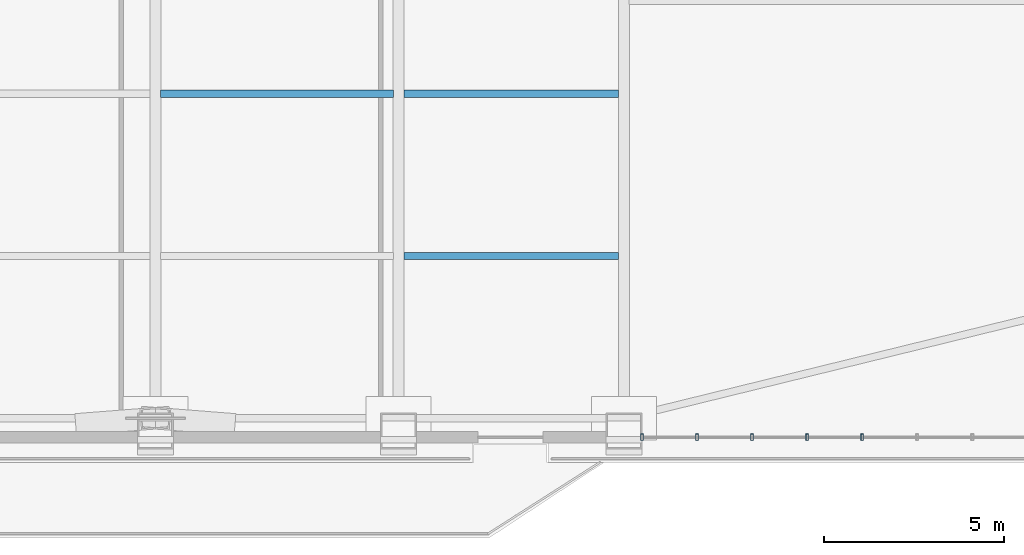
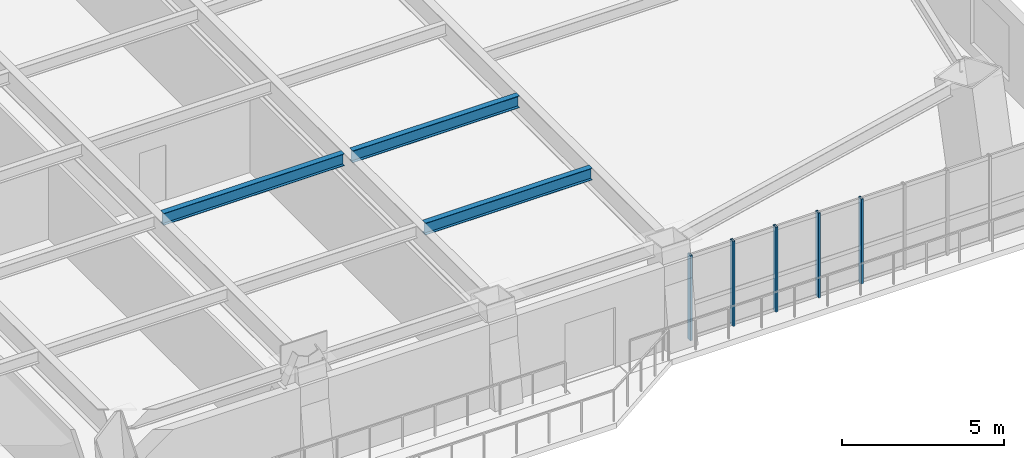
# One storey, part 4 of 16: 5 members, 3 beams, 1 element without a shape of its own.
"""IFC4 building model written with IfcOpenShell, lengths in metres."""

from ifc_helpers import new_model, si_unit, direction, frame, origin, origin_2d, place, context, subcontext, project, spatial, hollow_rectangle, i_section, extrude, source, transform, mapped, material, layer, layer_set, material_profile, profile_set, type_object, element, aggregate, save


model = new_model("IFC4")

# Units and contexts
model_context = context("Model", 3, precision=1e-05, world=origin(), true_north=direction((0.0, 1.0)))
body_context = subcontext(model_context, "Body", "Model", "MODEL_VIEW")
ifc_project = project(units=[si_unit("LENGTHUNIT", "METRE"), si_unit("AREAUNIT", "SQUARE_METRE"), si_unit("VOLUMEUNIT", "CUBIC_METRE"), si_unit("PLANEANGLEUNIT", "RADIAN"), si_unit("MASSUNIT", "GRAM", prefix="KILO")], contexts=[model_context])

# Site, building, storey
site_placement = place(None, origin())
site = spatial("IfcSite", under=ifc_project, at=site_placement, CompositionType="ELEMENT")
building_placement = place(site_placement, origin())
building = spatial("IfcBuilding", under=site, at=building_placement, Name="Giltprow Tower", CompositionType="ELEMENT")
storey_placement = place(building_placement, frame((0.0, 0.0, 83.5)))
storey = spatial("IfcBuildingStorey", under=building, at=storey_placement, Name="L20", CompositionType="ELEMENT", Elevation=83.5)

# Beams
ifc_material_1 = material(Name="Structural steel Q355B", Category="steel")
ifc_material_profile_1 = material_profile(ifc_material_1, i_section(OverallWidth=0.199951171875, OverallDepth=0.449951171875, WebThickness=0.009033203125, FlangeThickness=0.013916015625, at=origin_2d()), Name="HN 450x200x9x14")
ifc_profile_set_1 = profile_set([ifc_material_profile_1], Name="Structural steel Q355B")
beam_type = type_object("IfcBeamType", Name="BM-JOIST-HN450", PredefinedType="JOIST", material=ifc_profile_set_1)
shared_shape_1 = source(origin(), body_context, "Body", "SweptSolid", [
    extrude(i_section(OverallWidth=0.199951171875, OverallDepth=0.449951171875, WebThickness=0.009033203125, FlangeThickness=0.013916015625, at=origin_2d()), origin(), (0.0, 0.0, 1.0), 6.4599609375),
])
beam_placement = place(storey_placement, frame((37.695068359375, 14.93994140625, 3.455078125), z_axis=(1.0, 0.0, 0.0), x_axis=(0.0, 1.0, 0.0)))
element("IfcBeam", 1, at=beam_placement, inside=storey, type_object=beam_type, Name="L20 Composite Floor Joist 2-3", PredefinedType="JOIST", context=body_context, shape_type="MappedRepresentation", body=[
    mapped(shared_shape_1, transform((0.0, 0.0, 0.0), x_axis=(1.0, 0.0, 0.0), y_axis=(0.0, 1.0, 0.0), z_axis=(0.0, 0.0, 1.0), scale=1.0)),
])
shared_shape_2 = source(origin(), body_context, "Body", "SweptSolid", [
    extrude(i_section(OverallWidth=0.199951171875, OverallDepth=0.449951171875, WebThickness=0.009033203125, FlangeThickness=0.013916015625, at=origin_2d()), origin(), (0.0, 0.0, 1.0), 5.9599609375),
])
for number, where, z_axis, x_axis, name in (
    (2, (44.445068359375, 10.43798828125, 3.455078125), (1.0, 0.0, 0.0), (0.0, 1.0, 0.0), "L20 Composite Floor Joist 1-4"),
    (3, (44.445068359375, 14.93994140625, 3.455078125), (1.0, 0.0, 0.0), (0.0, 1.0, 0.0), "L20 Composite Floor Joist 2-4"),
):
    element("IfcBeam", number, at=place(storey_placement, frame(where, z_axis=z_axis, x_axis=x_axis)), inside=storey, type_object=beam_type, Name=name, PredefinedType="JOIST", context=body_context, shape_type="MappedRepresentation", body=[
        mapped(shared_shape_2, transform((0.0, 0.0, 0.0), x_axis=(1.0, 0.0, 0.0), y_axis=(0.0, 1.0, 0.0), z_axis=(0.0, 0.0, 1.0), scale=1.0)),
    ])

# Curtain wall, members
ifc_material_2 = material(Name="Anodized bronze", Category="metal")
ifc_layer = layer(ifc_material_2, 0.179931640625, Name="Anodized bronze")
ifc_layer_set = layer_set([ifc_layer], Name="Anodized bronze")
curtain_wall_type = type_object("IfcCurtainWallType", Name="CW-OFF-RECESSED", PredefinedType="NOTDEFINED", material=ifc_layer_set)
curtain_wall_placement = place(storey_placement, origin())
curtain_wall = element("IfcCurtainWall", 4, at=curtain_wall_placement, inside=storey, type_object=curtain_wall_type, Name="L20 South Recessed Curtain Wall 6", PredefinedType="NOTDEFINED")
ifc_material_profile_2 = material_profile(ifc_material_2, hollow_rectangle(XDim=0.074951171875, YDim=0.179931640625, WallThickness=0.008056640625, at=origin_2d()), Name="RHS 180x75x8")
ifc_profile_set_2 = profile_set([ifc_material_profile_2], Name="Anodized bronze")
member_type = type_object("IfcMemberType", Name="CW-MULLION-180x75", PredefinedType="MULLION", material=ifc_profile_set_2)
shared_shape_3 = source(origin(), body_context, "Body", "SweptSolid", [
    extrude(hollow_rectangle(XDim=0.074951171875, YDim=0.179931640625, WallThickness=0.008056640625, at=origin_2d()), origin(), (0.0, 0.0, 1.0), 3.215087890625),
])
member_1_placement = place(storey_placement, frame((51.050048828125, 5.408935546875, -0.02001953125), z_axis=(0.0, 0.0, 1.0), x_axis=(1.0, 0.0, 0.0)))
member_1 = element("IfcMember", 5, at=member_1_placement, type_object=member_type, Name="L20 South Recessed Curtain Wall 6 Mullion 1", PredefinedType="MULLION", context=body_context, shape_type="MappedRepresentation", body=[
    mapped(shared_shape_3, transform((0.0, 0.0, 0.0), x_axis=(1.0, 0.0, 0.0), y_axis=(0.0, 1.0, 0.0), z_axis=(0.0, 0.0, 1.0), scale=1.0)),
])
member_2_placement = place(storey_placement, frame((52.576904296875, 5.408935546875, -0.02001953125), z_axis=(0.0, 0.0, 1.0), x_axis=(1.0, 0.0, 0.0)))
member_2 = element("IfcMember", 6, at=member_2_placement, type_object=member_type, Name="L20 South Recessed Curtain Wall 6 Mullion 2", PredefinedType="MULLION", context=body_context, shape_type="MappedRepresentation", body=[
    mapped(shared_shape_3, transform((0.0, 0.0, 0.0), x_axis=(1.0, 0.0, 0.0), y_axis=(0.0, 1.0, 0.0), z_axis=(0.0, 0.0, 1.0), scale=1.0)),
])
member_3_placement = place(storey_placement, frame((54.10400390625, 5.408935546875, -0.02001953125), z_axis=(0.0, 0.0, 1.0), x_axis=(1.0, 0.0, 0.0)))
member_3 = element("IfcMember", 7, at=member_3_placement, type_object=member_type, Name="L20 South Recessed Curtain Wall 6 Mullion 3", PredefinedType="MULLION", context=body_context, shape_type="MappedRepresentation", body=[
    mapped(shared_shape_3, transform((0.0, 0.0, 0.0), x_axis=(1.0, 0.0, 0.0), y_axis=(0.0, 1.0, 0.0), z_axis=(0.0, 0.0, 1.0), scale=1.0)),
])
member_4_placement = place(storey_placement, frame((55.631103515625, 5.408935546875, -0.02001953125), z_axis=(0.0, 0.0, 1.0), x_axis=(1.0, 0.0, 0.0)))
member_4 = element("IfcMember", 8, at=member_4_placement, type_object=member_type, Name="L20 South Recessed Curtain Wall 6 Mullion 4", PredefinedType="MULLION", context=body_context, shape_type="MappedRepresentation", body=[
    mapped(shared_shape_3, transform((0.0, 0.0, 0.0), x_axis=(1.0, 0.0, 0.0), y_axis=(0.0, 1.0, 0.0), z_axis=(0.0, 0.0, 1.0), scale=1.0)),
])
member_5_placement = place(storey_placement, frame((57.156982421875, 5.408935546875, -0.02001953125), z_axis=(0.0, 0.0, 1.0), x_axis=(1.0, 0.0, 0.0)))
member_5 = element("IfcMember", 9, at=member_5_placement, type_object=member_type, Name="L20 South Recessed Curtain Wall 6 Mullion 5", PredefinedType="MULLION", context=body_context, shape_type="MappedRepresentation", body=[
    mapped(shared_shape_3, transform((0.0, 0.0, 0.0), x_axis=(1.0, 0.0, 0.0), y_axis=(0.0, 1.0, 0.0), z_axis=(0.0, 0.0, 1.0), scale=1.0)),
])
aggregate(curtain_wall, [member_1, member_2, member_3, member_4, member_5])

save(model, "model.ifc")
